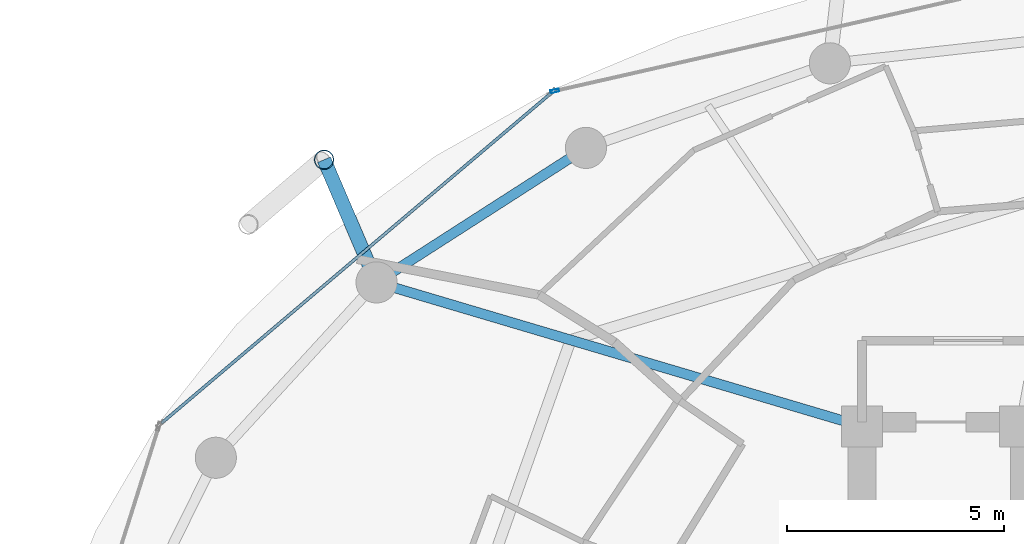
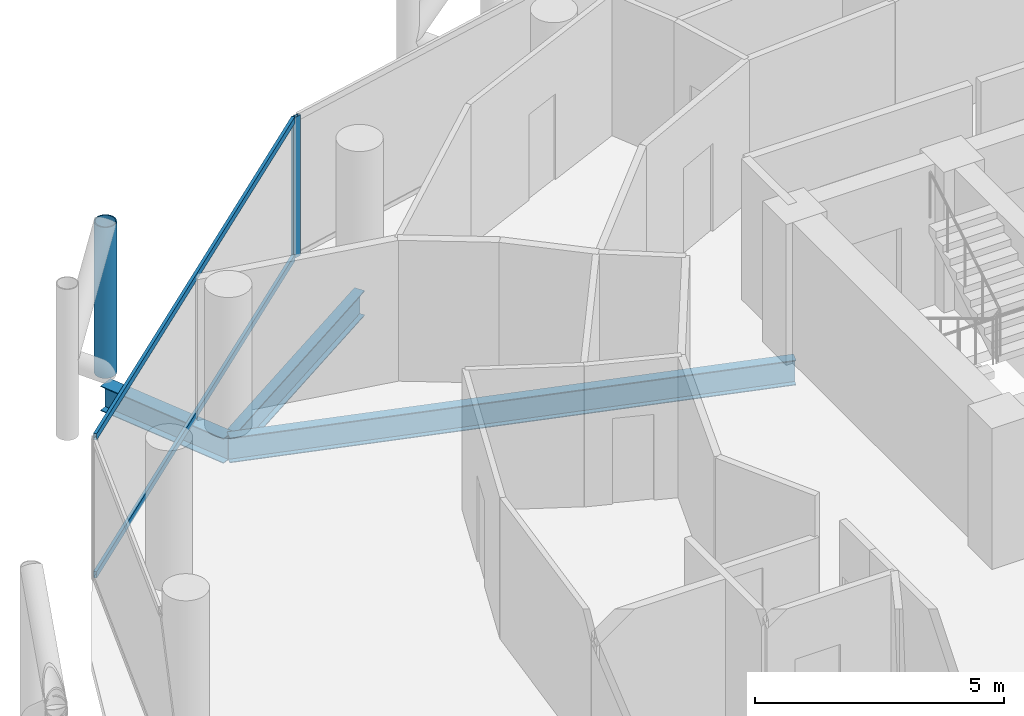
# One storey, part 14 of 26: 4 members, 3 beams, 2 elements without a shape of their own.
"""IFC4 building model written with IfcOpenShell, lengths in metres."""

from ifc_helpers import new_model, si_unit, direction, frame, origin, origin_2d, place, context, subcontext, project, spatial, hollow_rectangle, hollow_circle, i_section, extrude, material, layer, layer_set, material_profile, profile_set, type_object, element, aggregate, save


model = new_model("IFC4")

# Units and contexts
model_context = context("Model", 3, precision=1e-05, world=origin(), true_north=direction((0.0, 1.0)))
body_context = subcontext(model_context, "Body", "Model", "MODEL_VIEW")
ifc_project = project(units=[si_unit("LENGTHUNIT", "METRE"), si_unit("AREAUNIT", "SQUARE_METRE"), si_unit("VOLUMEUNIT", "CUBIC_METRE"), si_unit("PLANEANGLEUNIT", "RADIAN"), si_unit("MASSUNIT", "GRAM", prefix="KILO")], contexts=[model_context])

# Site, building, storey
site_placement = place(None, origin())
site = spatial("IfcSite", under=ifc_project, at=site_placement, CompositionType="ELEMENT")
building_placement = place(site_placement, origin())
building = spatial("IfcBuilding", under=site, at=building_placement, Name="Nuhasar Tower", CompositionType="ELEMENT")
storey_placement = place(building_placement, frame((0.0, 0.0, 129.35009765625)))
storey = spatial("IfcBuildingStorey", under=building, at=storey_placement, Name="L30", CompositionType="ELEMENT", Elevation=129.35009765625)

# Beams
ifc_material_1 = material(Name="Steel S355", Category="steel")
ifc_material_profile_1 = material_profile(ifc_material_1, i_section(OverallWidth=0.22900390625, OverallDepth=0.612060546875, WebThickness=0.011962890625, FlangeThickness=0.01953125, at=origin_2d()), Name="W24X84")
ifc_profile_set_1 = profile_set([ifc_material_profile_1], Name="Steel S355")
beam_type_1 = type_object("IfcBeamType", Name="BM-RAD-W24X84", PredefinedType="BEAM", material=ifc_profile_set_1)
beam_1_placement = place(storey_placement, frame((33.699951171875, 37.300048828125, -0.55615234375), z_axis=(-0.958746492721, 0.284262489076, 0.0), x_axis=(-0.284262489076, -0.958746492721, 0.0)))
element("IfcBeam", 1, at=beam_1_placement, inside=storey, type_object=beam_type_1, Name="L30 Radial Floor Girder 07", PredefinedType="BEAM", context=body_context, shape_type="SweptSolid", body=[
    extrude(i_section(OverallWidth=0.22900390625, OverallDepth=0.612060546875, WebThickness=0.011962890625, FlangeThickness=0.01953125, at=origin_2d()), origin(), (0.0, 0.0, 1.0), 11.693359375),
])
ifc_material_profile_2 = material_profile(ifc_material_1, i_section(OverallWidth=0.22998046875, OverallDepth=0.616943359375, WebThickness=0.01318359375, FlangeThickness=0.022216796875, at=origin_2d()), Name="W24X94")
ifc_profile_set_2 = profile_set([ifc_material_profile_2], Name="Steel S355")
beam_type_2 = type_object("IfcBeamType", Name="BM-RING-W24X94", PredefinedType="SPANDREL", material=ifc_profile_set_2)
beam_2_placement = place(storey_placement, frame((27.324951171875, 43.73095703125, -0.55908203125), z_axis=(-0.841327486207, -0.540525726448, 0.0), x_axis=(0.540525726448, -0.841327486207, 0.0)))
element("IfcBeam", 2, at=beam_2_placement, inside=storey, type_object=beam_type_2, Name="L30 Perimeter Ring Spandrel 09", PredefinedType="SPANDREL", context=body_context, shape_type="SweptSolid", body=[
    extrude(i_section(OverallWidth=0.22998046875, OverallDepth=0.616943359375, WebThickness=0.01318359375, FlangeThickness=0.022216796875, at=origin_2d()), origin(), (0.0, 0.0, 1.0), 5.748046875),
])
ifc_material_profile_3 = material_profile(ifc_material_1, i_section(OverallWidth=0.323974609375, OverallDepth=0.611083984375, WebThickness=0.0126953125, FlangeThickness=0.01904296875, at=origin_2d()), Name="W24X104")
ifc_profile_set_3 = profile_set([ifc_material_profile_3], Name="Steel S355")
beam_type_3 = type_object("IfcBeamType", Name="BM-TIE-W24X104", PredefinedType="BEAM", material=ifc_profile_set_3)
beam_3_placement = place(storey_placement, frame((22.489013671875, 40.6240234375, -0.55615234375), z_axis=(-0.39330721304, 0.919407111225, 0.0), x_axis=(-0.919407111225, -0.39330721304, 0.0)))
element("IfcBeam", 3, at=beam_3_placement, inside=storey, type_object=beam_type_3, Name="L30 Exoskeleton Node Tie Beam 05", PredefinedType="BEAM", context=body_context, shape_type="SweptSolid", body=[
    extrude(i_section(OverallWidth=0.323974609375, OverallDepth=0.611083984375, WebThickness=0.0126953125, FlangeThickness=0.01904296875, at=origin_2d()), origin(), (0.0, 0.0, 1.0), 3.081298828125),
])

# Curtain wall, member
ifc_material_2 = material(Name="Aluminium 6063-T6", Category="aluminium")
ifc_layer = layer(ifc_material_2, 0.199951171875)
ifc_layer_set = layer_set([ifc_layer], Name="Aluminium 6063-T6")
curtain_wall_type = type_object("IfcCurtainWallType", Name="CW-Z2-HTL", PredefinedType="NOTDEFINED", material=ifc_layer_set)
curtain_wall_1_placement = place(storey_placement, origin())
curtain_wall_1 = element("IfcCurtainWall", 4, at=curtain_wall_1_placement, inside=storey, type_object=curtain_wall_type, Name="L30 Unitised Curtain Wall 04", PredefinedType="NOTDEFINED")
ifc_material_profile_4 = material_profile(ifc_material_2, hollow_rectangle(XDim=0.070068359375, YDim=0.199951171875, WallThickness=0.0048828125, at=origin_2d()), Name="CWM-3")
ifc_profile_set_4 = profile_set([ifc_material_profile_4], Name="Aluminium 6063-T6")
member_type_1 = type_object("IfcMemberType", Name="CW-MUL-S3", PredefinedType="MULLION", material=ifc_profile_set_4)
member_1_placement = place(storey_placement, frame((26.604248046875, 45.045654296875, 0.0), z_axis=(0.0, 0.0, 1.0), x_axis=(0.22139729566, -0.975183694221, 0.0)))
member_1 = element("IfcMember", 5, at=member_1_placement, type_object=member_type_1, Name="CW-Z2 mullion 2", PredefinedType="MULLION", context=body_context, shape_type="SweptSolid", body=[
    extrude(hollow_rectangle(XDim=0.070068359375, YDim=0.199951171875, WallThickness=0.0048828125, at=origin_2d()), origin(), (0.0, 0.0, 1.0), 3.449951171875),
])
aggregate(curtain_wall_1, [member_1])

# Curtain wall, members
curtain_wall_2_placement = place(storey_placement, origin())
curtain_wall_2 = element("IfcCurtainWall", 6, at=curtain_wall_2_placement, inside=storey, type_object=curtain_wall_type, Name="L30 Unitised Curtain Wall 05", PredefinedType="NOTDEFINED")
ifc_material_profile_5 = material_profile(ifc_material_2, hollow_rectangle(XDim=0.070068359375, YDim=0.159912109375, WallThickness=0.00439453125, at=origin_2d()), Name="CWT-3")
ifc_profile_set_5 = profile_set([ifc_material_profile_5], Name="Aluminium 6063-T6")
member_type_2 = type_object("IfcMemberType", Name="CW-TRN-S3", PredefinedType="USERDEFINED", material=ifc_profile_set_5)
member_2_placement = place(storey_placement, frame((26.5166015625, 44.99267578125, 0.034912109375), z_axis=(-0.763023915269, -0.646370253592, 0.0), x_axis=(0.646370253592, -0.763023915269, 0.0)))
member_2 = element("IfcMember", 7, at=member_2_placement, type_object=member_type_2, Name="CW-Z2 transom 1.1", ObjectType="TRANSOM", PredefinedType="USERDEFINED", context=body_context, shape_type="SweptSolid", body=[
    extrude(hollow_rectangle(XDim=0.070068359375, YDim=0.159912109375, WallThickness=0.00439453125, at=origin_2d()), origin(), (0.0, 0.0, 1.0), 11.784912109375),
])
member_3_placement = place(storey_placement, frame((26.5166015625, 44.99267578125, 3.414794921875), z_axis=(-0.763023915269, -0.646370253592, 0.0), x_axis=(0.646370253592, -0.763023915269, 0.0)))
member_3 = element("IfcMember", 8, at=member_3_placement, type_object=member_type_2, Name="CW-Z2 transom 1.2", ObjectType="TRANSOM", PredefinedType="USERDEFINED", context=body_context, shape_type="SweptSolid", body=[
    extrude(hollow_rectangle(XDim=0.070068359375, YDim=0.159912109375, WallThickness=0.00439453125, at=origin_2d()), origin(), (0.0, 0.0, 1.0), 11.784912109375),
])
aggregate(curtain_wall_2, [member_2, member_3])

# Member
ifc_material_3 = material(Name="Steel S460", Category="steel")
ifc_material_profile_6 = material_profile(ifc_material_3, hollow_circle(Radius=0.228515625, WallThickness=0.022216796875, at=origin_2d()), Name="HSS457X22.2")
ifc_profile_set_6 = profile_set([ifc_material_profile_6], Name="Steel S460")
member_type_3 = type_object("IfcMemberType", Name="EXO-BRONZE-457", PredefinedType="BRACE", material=ifc_profile_set_6)
member_4_placement = place(storey_placement, frame((21.277099609375, 43.45703125, 0.0), z_axis=(0.0, 0.0, 1.0), x_axis=(1.0, 0.0, 0.0)))
element("IfcMember", 9, at=member_4_placement, inside=storey, type_object=member_type_3, Name="L30 Exoskeleton Chord Column EC-05A", PredefinedType="BRACE", context=body_context, shape_type="SweptSolid", body=[
    extrude(hollow_circle(Radius=0.228515625, WallThickness=0.022216796875, at=origin_2d()), origin(), (0.0, 0.0, 1.0), 3.699951171875),
])

save(model, "model.ifc")
